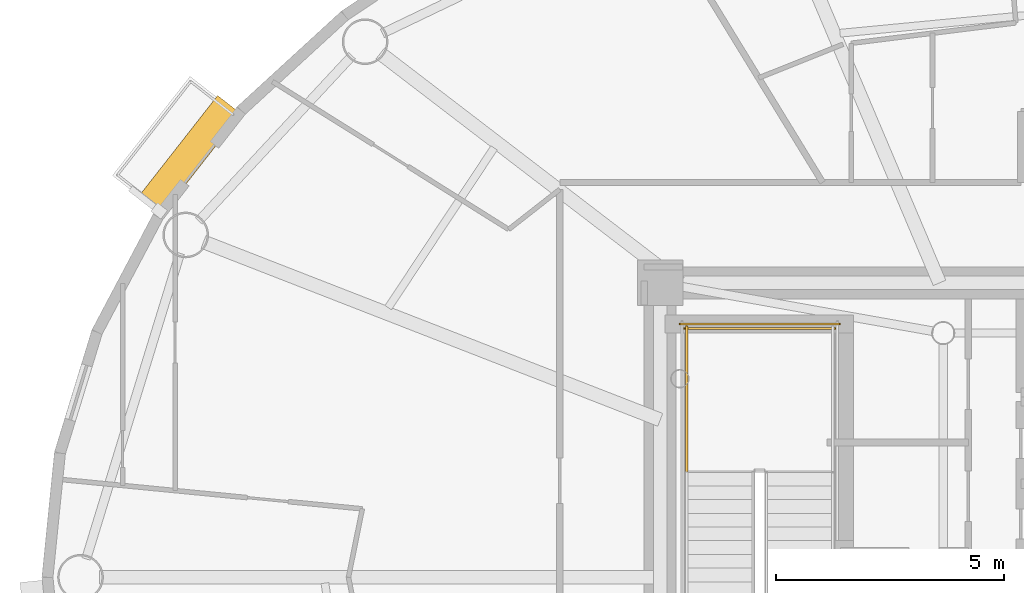
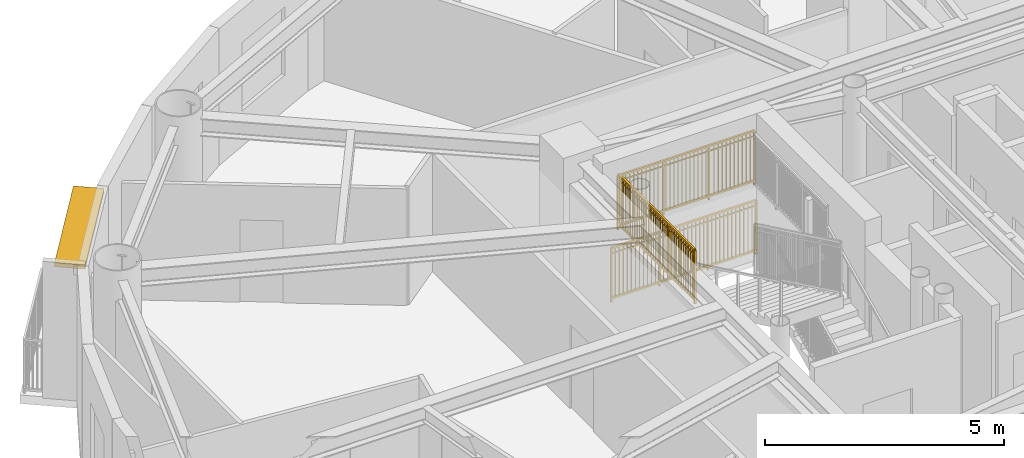
# One storey, part 14 of 17: 3 railings, 1 shading device.
"""IFC4 building model written with IfcOpenShell, lengths in metres."""

from ifc_helpers import new_model, si_unit, direction, frame, origin, origin_2d, place, context, subcontext, project, spatial, rectangle, extrude, source, transform, mapped, material, layer, layer_set, type_object, element, save


model = new_model("IFC4")

# Units and contexts
model_context = context("Model", 3, precision=1e-05, world=origin(), true_north=direction((0.0, 1.0)))
body_context = subcontext(model_context, "Body", "Model", "MODEL_VIEW")
ifc_project = project(units=[si_unit("LENGTHUNIT", "METRE"), si_unit("AREAUNIT", "SQUARE_METRE"), si_unit("VOLUMEUNIT", "CUBIC_METRE"), si_unit("PLANEANGLEUNIT", "RADIAN"), si_unit("MASSUNIT", "GRAM", prefix="KILO")], contexts=[model_context])

# Site, building, storey
site_placement = place(None, origin())
site = spatial("IfcSite", under=ifc_project, at=site_placement, CompositionType="ELEMENT")
building_placement = place(site_placement, origin())
building = spatial("IfcBuilding", under=site, at=building_placement, Name="Linh Dai School and Residence Tower", CompositionType="ELEMENT")
storey_placement = place(building_placement, frame((0.0, 0.0, 284.25)))
storey = spatial("IfcBuildingStorey", under=building, at=storey_placement, Name="L70", CompositionType="ELEMENT", Elevation=284.25)

# Shading device
ifc_material_1 = material(Name="Terracotta Ceramic Sunshade", Category="masonry")
ifc_layer = layer(ifc_material_1, 0.10009765625)
ifc_layer_set = layer_set([ifc_layer], Name="Terracotta Ceramic Sunshade")
shading_device_type = type_object("IfcShadingDeviceType", Name="SHD-TC-650", PredefinedType="USERDEFINED", material=ifc_layer_set)
shared_shape_1 = source(origin(), body_context, "Body", "SweptSolid", [
    extrude(rectangle(XDim=2.84033203125, YDim=0.64990234375, at=origin_2d()), origin(), (0.0, 0.0, 1.0), 0.10009765625),
])
shading_device_placement = place(storey_placement, frame((16.83349609375, 36.2353515625, 3.3798828125), z_axis=(0.0, 0.0, 1.0), x_axis=(0.616310813471, 0.78750300393, 0.0)))
element("IfcShadingDevice", 1, at=shading_device_placement, inside=storey, type_object=shading_device_type, Name="L70 Terracotta Horizontal Sunshade Band 17", ObjectType="SUNSHADE", PredefinedType="USERDEFINED", context=body_context, shape_type="MappedRepresentation", body=[
    mapped(shared_shape_1, transform((0.0, 0.0, 0.0), x_axis=(1.0, 0.0, 0.0), y_axis=(0.0, 1.0, 0.0), z_axis=(0.0, 0.0, 1.0), scale=1.0)),
])

# Railings
ifc_material_2 = material(Name="Structural Steel S355JR", Category="steel")
railing_type = type_object("IfcRailingType", Name="RL-ST-GUARD-1400", PredefinedType="GUARDRAIL", material=ifc_material_2)
shared_shape_2 = source(origin(), body_context, "Body", "SweptSolid", [
    extrude(rectangle(XDim=0.048095703125, YDim=0.048095703125, at=origin_2d()), frame((0.0, 0.0, 1.3759765625), z_axis=(-1.0, 0.0, 0.0), x_axis=(0.0, -1.0, 0.0)), (0.0, 0.0, 1.0), 3.300048828125),
    extrude(rectangle(XDim=0.048095703125, YDim=0.048095703125, at=origin_2d()), frame((0.0, 0.0, 0.10009765625), z_axis=(-1.0, 0.0, 0.0), x_axis=(0.0, -1.0, 0.0)), (0.0, 0.0, 1.0), 3.300048828125),
    extrude(rectangle(XDim=0.030029296875, YDim=0.030029296875, at=origin_2d()), frame((0.0, 0.0, 1.239990234375), z_axis=(-1.0, 0.0, 0.0), x_axis=(0.0, -1.0, 0.0)), (0.0, 0.0, 1.0), 3.300048828125),
    extrude(rectangle(XDim=0.02001953125, YDim=0.02001953125, at=origin_2d()), frame((-0.09716796875, 0.0, 0.10009765625)), (0.0, 0.0, 1.0), 1.251708984375),
    extrude(rectangle(XDim=0.02001953125, YDim=0.02001953125, at=origin_2d()), frame((-0.194091796875, 0.0, 0.10009765625)), (0.0, 0.0, 1.0), 1.251708984375),
    extrude(rectangle(XDim=0.02001953125, YDim=0.02001953125, at=origin_2d()), frame((-0.291259765625, 0.0, 0.10009765625)), (0.0, 0.0, 1.0), 1.251708984375),
    extrude(rectangle(XDim=0.02001953125, YDim=0.02001953125, at=origin_2d()), frame((-0.38818359375, 0.0, 0.10009765625)), (0.0, 0.0, 1.0), 1.251708984375),
    extrude(rectangle(XDim=0.02001953125, YDim=0.02001953125, at=origin_2d()), frame((-0.4853515625, 0.0, 0.10009765625)), (0.0, 0.0, 1.0), 1.251708984375),
    extrude(rectangle(XDim=0.02001953125, YDim=0.02001953125, at=origin_2d()), frame((-0.582275390625, 0.0, 0.10009765625)), (0.0, 0.0, 1.0), 1.251708984375),
    extrude(rectangle(XDim=0.02001953125, YDim=0.02001953125, at=origin_2d()), frame((-0.679443359375, 0.0, 0.10009765625)), (0.0, 0.0, 1.0), 1.251708984375),
    extrude(rectangle(XDim=0.02001953125, YDim=0.02001953125, at=origin_2d()), frame((-0.7763671875, 0.0, 0.10009765625)), (0.0, 0.0, 1.0), 1.251708984375),
    extrude(rectangle(XDim=0.02001953125, YDim=0.02001953125, at=origin_2d()), frame((-0.87353515625, 0.0, 0.10009765625)), (0.0, 0.0, 1.0), 1.251708984375),
    extrude(rectangle(XDim=0.02001953125, YDim=0.02001953125, at=origin_2d()), frame((-0.970703125, 0.0, 0.10009765625)), (0.0, 0.0, 1.0), 1.251708984375),
    extrude(rectangle(XDim=0.02001953125, YDim=0.02001953125, at=origin_2d()), frame((-1.164794921875, 0.0, 0.10009765625)), (0.0, 0.0, 1.0), 1.251708984375),
    extrude(rectangle(XDim=0.02001953125, YDim=0.02001953125, at=origin_2d()), frame((-1.26171875, 0.0, 0.10009765625)), (0.0, 0.0, 1.0), 1.251708984375),
    extrude(rectangle(XDim=0.02001953125, YDim=0.02001953125, at=origin_2d()), frame((-1.35888671875, 0.0, 0.10009765625)), (0.0, 0.0, 1.0), 1.251708984375),
    extrude(rectangle(XDim=0.02001953125, YDim=0.02001953125, at=origin_2d()), frame((-1.455810546875, 0.0, 0.10009765625)), (0.0, 0.0, 1.0), 1.251708984375),
    extrude(rectangle(XDim=0.02001953125, YDim=0.02001953125, at=origin_2d()), frame((-1.552978515625, 0.0, 0.10009765625)), (0.0, 0.0, 1.0), 1.251708984375),
    extrude(rectangle(XDim=0.02001953125, YDim=0.02001953125, at=origin_2d()), frame((-1.64990234375, 0.0, 0.10009765625)), (0.0, 0.0, 1.0), 1.251708984375),
    extrude(rectangle(XDim=0.02001953125, YDim=0.02001953125, at=origin_2d()), frame((-1.7470703125, 0.0, 0.10009765625)), (0.0, 0.0, 1.0), 1.251708984375),
    extrude(rectangle(XDim=0.02001953125, YDim=0.02001953125, at=origin_2d()), frame((-1.84423828125, 0.0, 0.10009765625)), (0.0, 0.0, 1.0), 1.251708984375),
    extrude(rectangle(XDim=0.02001953125, YDim=0.02001953125, at=origin_2d()), frame((-1.941162109375, 0.0, 0.10009765625)), (0.0, 0.0, 1.0), 1.251708984375),
    extrude(rectangle(XDim=0.02001953125, YDim=0.02001953125, at=origin_2d()), frame((-2.038330078125, 0.0, 0.10009765625)), (0.0, 0.0, 1.0), 1.251708984375),
    extrude(rectangle(XDim=0.02001953125, YDim=0.02001953125, at=origin_2d()), frame((-2.13525390625, 0.0, 0.10009765625)), (0.0, 0.0, 1.0), 1.251708984375),
    extrude(rectangle(XDim=0.02001953125, YDim=0.02001953125, at=origin_2d()), frame((-2.329345703125, 0.0, 0.10009765625)), (0.0, 0.0, 1.0), 1.251708984375),
    extrude(rectangle(XDim=0.02001953125, YDim=0.02001953125, at=origin_2d()), frame((-2.426513671875, 0.0, 0.10009765625)), (0.0, 0.0, 1.0), 1.251708984375),
    extrude(rectangle(XDim=0.02001953125, YDim=0.02001953125, at=origin_2d()), frame((-2.523681640625, 0.0, 0.10009765625)), (0.0, 0.0, 1.0), 1.251708984375),
    extrude(rectangle(XDim=0.02001953125, YDim=0.02001953125, at=origin_2d()), frame((-2.62060546875, 0.0, 0.10009765625)), (0.0, 0.0, 1.0), 1.251708984375),
    extrude(rectangle(XDim=0.02001953125, YDim=0.02001953125, at=origin_2d()), frame((-2.7177734375, 0.0, 0.10009765625)), (0.0, 0.0, 1.0), 1.251708984375),
    extrude(rectangle(XDim=0.02001953125, YDim=0.02001953125, at=origin_2d()), frame((-2.814697265625, 0.0, 0.10009765625)), (0.0, 0.0, 1.0), 1.251708984375),
    extrude(rectangle(XDim=0.02001953125, YDim=0.02001953125, at=origin_2d()), frame((-2.911865234375, 0.0, 0.10009765625)), (0.0, 0.0, 1.0), 1.251708984375),
    extrude(rectangle(XDim=0.02001953125, YDim=0.02001953125, at=origin_2d()), frame((-3.0087890625, 0.0, 0.10009765625)), (0.0, 0.0, 1.0), 1.251708984375),
    extrude(rectangle(XDim=0.02001953125, YDim=0.02001953125, at=origin_2d()), frame((-3.10595703125, 0.0, 0.10009765625)), (0.0, 0.0, 1.0), 1.251708984375),
    extrude(rectangle(XDim=0.02001953125, YDim=0.02001953125, at=origin_2d()), frame((-3.202880859375, 0.0, 0.10009765625)), (0.0, 0.0, 1.0), 1.251708984375),
    extrude(rectangle(XDim=0.0419921875, YDim=0.0419921875, at=origin_2d()), origin(), (0.0, 0.0, 1.0), 1.3759765625),
    extrude(rectangle(XDim=0.0419921875, YDim=0.0419921875, at=origin_2d()), frame((-1.10009765625, 0.0, 0.0)), (0.0, 0.0, 1.0), 1.3759765625),
    extrude(rectangle(XDim=0.0419921875, YDim=0.0419921875, at=origin_2d()), frame((-2.199951171875, 0.0, 0.0)), (0.0, 0.0, 1.0), 1.3759765625),
    extrude(rectangle(XDim=0.0419921875, YDim=0.0419921875, at=origin_2d()), frame((-3.300048828125, 0.0, 0.0)), (0.0, 0.0, 1.0), 1.3759765625),
])
railing_1_placement = place(storey_placement, frame((30.97998046875, 32.449951171875, 1.875)))
element("IfcRailing", 2, at=railing_1_placement, inside=storey, type_object=railing_type, Name="L70 ST1 stair guard 5", PredefinedType="GUARDRAIL", context=body_context, shape_type="MappedRepresentation", body=[
    mapped(shared_shape_2, transform((0.0, 0.0, 0.0), x_axis=(1.0, 0.0, 0.0), y_axis=(0.0, 1.0, 0.0), z_axis=(0.0, 0.0, 1.0), scale=1.0)),
])
shared_shape_3 = source(origin(), body_context, "Body", "SweptSolid", [
    extrude(rectangle(XDim=0.048095703125, YDim=0.048095703125, at=origin_2d()), frame((0.0, 0.0, 1.3759765625), z_axis=(-1.0, 0.0, 0.0), x_axis=(0.0, -1.0, 0.0)), (0.0, 0.0, 1.0), 3.5),
    extrude(rectangle(XDim=0.048095703125, YDim=0.048095703125, at=origin_2d()), frame((0.0, 0.0, 0.10009765625), z_axis=(-1.0, 0.0, 0.0), x_axis=(0.0, -1.0, 0.0)), (0.0, 0.0, 1.0), 3.5),
    extrude(rectangle(XDim=0.030029296875, YDim=0.030029296875, at=origin_2d()), frame((0.0, 0.0, 1.239990234375), z_axis=(-1.0, 0.0, 0.0), x_axis=(0.0, -1.0, 0.0)), (0.0, 0.0, 1.0), 3.5),
    extrude(rectangle(XDim=0.02001953125, YDim=0.02001953125, at=origin_2d()), frame((-0.09716796875, 0.0, 0.10009765625)), (0.0, 0.0, 1.0), 1.251708984375),
    extrude(rectangle(XDim=0.02001953125, YDim=0.02001953125, at=origin_2d()), frame((-0.1943359375, 0.0, 0.10009765625)), (0.0, 0.0, 1.0), 1.251708984375),
    extrude(rectangle(XDim=0.02001953125, YDim=0.02001953125, at=origin_2d()), frame((-0.291748046875, 0.0, 0.10009765625)), (0.0, 0.0, 1.0), 1.251708984375),
    extrude(rectangle(XDim=0.02001953125, YDim=0.02001953125, at=origin_2d()), frame((-0.388916015625, 0.0, 0.10009765625)), (0.0, 0.0, 1.0), 1.251708984375),
    extrude(rectangle(XDim=0.02001953125, YDim=0.02001953125, at=origin_2d()), frame((-0.486083984375, 0.0, 0.10009765625)), (0.0, 0.0, 1.0), 1.251708984375),
    extrude(rectangle(XDim=0.02001953125, YDim=0.02001953125, at=origin_2d()), frame((-0.583251953125, 0.0, 0.10009765625)), (0.0, 0.0, 1.0), 1.251708984375),
    extrude(rectangle(XDim=0.02001953125, YDim=0.02001953125, at=origin_2d()), frame((-0.6806640625, 0.0, 0.10009765625)), (0.0, 0.0, 1.0), 1.251708984375),
    extrude(rectangle(XDim=0.02001953125, YDim=0.02001953125, at=origin_2d()), frame((-0.77783203125, 0.0, 0.10009765625)), (0.0, 0.0, 1.0), 1.251708984375),
    extrude(rectangle(XDim=0.02001953125, YDim=0.02001953125, at=origin_2d()), frame((-0.875, 0.0, 0.10009765625)), (0.0, 0.0, 1.0), 1.251708984375),
    extrude(rectangle(XDim=0.02001953125, YDim=0.02001953125, at=origin_2d()), frame((-0.97216796875, 0.0, 0.10009765625)), (0.0, 0.0, 1.0), 1.251708984375),
    extrude(rectangle(XDim=0.02001953125, YDim=0.02001953125, at=origin_2d()), frame((-1.0693359375, 0.0, 0.10009765625)), (0.0, 0.0, 1.0), 1.251708984375),
    extrude(rectangle(XDim=0.02001953125, YDim=0.02001953125, at=origin_2d()), frame((-1.263916015625, 0.0, 0.10009765625)), (0.0, 0.0, 1.0), 1.251708984375),
    extrude(rectangle(XDim=0.02001953125, YDim=0.02001953125, at=origin_2d()), frame((-1.361083984375, 0.0, 0.10009765625)), (0.0, 0.0, 1.0), 1.251708984375),
    extrude(rectangle(XDim=0.02001953125, YDim=0.02001953125, at=origin_2d()), frame((-1.458251953125, 0.0, 0.10009765625)), (0.0, 0.0, 1.0), 1.251708984375),
    extrude(rectangle(XDim=0.02001953125, YDim=0.02001953125, at=origin_2d()), frame((-1.5556640625, 0.0, 0.10009765625)), (0.0, 0.0, 1.0), 1.251708984375),
    extrude(rectangle(XDim=0.02001953125, YDim=0.02001953125, at=origin_2d()), frame((-1.65283203125, 0.0, 0.10009765625)), (0.0, 0.0, 1.0), 1.251708984375),
    extrude(rectangle(XDim=0.02001953125, YDim=0.02001953125, at=origin_2d()), frame((-1.75, 0.0, 0.10009765625)), (0.0, 0.0, 1.0), 1.251708984375),
    extrude(rectangle(XDim=0.02001953125, YDim=0.02001953125, at=origin_2d()), frame((-1.84716796875, 0.0, 0.10009765625)), (0.0, 0.0, 1.0), 1.251708984375),
    extrude(rectangle(XDim=0.02001953125, YDim=0.02001953125, at=origin_2d()), frame((-1.9443359375, 0.0, 0.10009765625)), (0.0, 0.0, 1.0), 1.251708984375),
    extrude(rectangle(XDim=0.02001953125, YDim=0.02001953125, at=origin_2d()), frame((-2.041748046875, 0.0, 0.10009765625)), (0.0, 0.0, 1.0), 1.251708984375),
    extrude(rectangle(XDim=0.02001953125, YDim=0.02001953125, at=origin_2d()), frame((-2.138916015625, 0.0, 0.10009765625)), (0.0, 0.0, 1.0), 1.251708984375),
    extrude(rectangle(XDim=0.02001953125, YDim=0.02001953125, at=origin_2d()), frame((-2.236083984375, 0.0, 0.10009765625)), (0.0, 0.0, 1.0), 1.251708984375),
    extrude(rectangle(XDim=0.02001953125, YDim=0.02001953125, at=origin_2d()), frame((-2.4306640625, 0.0, 0.10009765625)), (0.0, 0.0, 1.0), 1.251708984375),
    extrude(rectangle(XDim=0.02001953125, YDim=0.02001953125, at=origin_2d()), frame((-2.52783203125, 0.0, 0.10009765625)), (0.0, 0.0, 1.0), 1.251708984375),
    extrude(rectangle(XDim=0.02001953125, YDim=0.02001953125, at=origin_2d()), frame((-2.625, 0.0, 0.10009765625)), (0.0, 0.0, 1.0), 1.251708984375),
    extrude(rectangle(XDim=0.02001953125, YDim=0.02001953125, at=origin_2d()), frame((-2.72216796875, 0.0, 0.10009765625)), (0.0, 0.0, 1.0), 1.251708984375),
    extrude(rectangle(XDim=0.02001953125, YDim=0.02001953125, at=origin_2d()), frame((-2.8193359375, 0.0, 0.10009765625)), (0.0, 0.0, 1.0), 1.251708984375),
    extrude(rectangle(XDim=0.02001953125, YDim=0.02001953125, at=origin_2d()), frame((-2.916748046875, 0.0, 0.10009765625)), (0.0, 0.0, 1.0), 1.251708984375),
    extrude(rectangle(XDim=0.02001953125, YDim=0.02001953125, at=origin_2d()), frame((-3.013916015625, 0.0, 0.10009765625)), (0.0, 0.0, 1.0), 1.251708984375),
    extrude(rectangle(XDim=0.02001953125, YDim=0.02001953125, at=origin_2d()), frame((-3.111083984375, 0.0, 0.10009765625)), (0.0, 0.0, 1.0), 1.251708984375),
    extrude(rectangle(XDim=0.02001953125, YDim=0.02001953125, at=origin_2d()), frame((-3.208251953125, 0.0, 0.10009765625)), (0.0, 0.0, 1.0), 1.251708984375),
    extrude(rectangle(XDim=0.02001953125, YDim=0.02001953125, at=origin_2d()), frame((-3.3056640625, 0.0, 0.10009765625)), (0.0, 0.0, 1.0), 1.251708984375),
    extrude(rectangle(XDim=0.02001953125, YDim=0.02001953125, at=origin_2d()), frame((-3.40283203125, 0.0, 0.10009765625)), (0.0, 0.0, 1.0), 1.251708984375),
    extrude(rectangle(XDim=0.0419921875, YDim=0.0419921875, at=origin_2d()), origin(), (0.0, 0.0, 1.0), 1.3759765625),
    extrude(rectangle(XDim=0.0419921875, YDim=0.0419921875, at=origin_2d()), frame((-1.166748046875, 0.0, 0.0)), (0.0, 0.0, 1.0), 1.3759765625),
    extrude(rectangle(XDim=0.0419921875, YDim=0.0419921875, at=origin_2d()), frame((-2.333251953125, 0.0, 0.0)), (0.0, 0.0, 1.0), 1.3759765625),
    extrude(rectangle(XDim=0.0419921875, YDim=0.0419921875, at=origin_2d()), frame((-3.5, 0.0, 0.0)), (0.0, 0.0, 1.0), 1.3759765625),
])
railing_2_placement = place(storey_placement, frame((31.080078125, 32.550048828125, 0.0)))
element("IfcRailing", 3, at=railing_2_placement, inside=storey, type_object=railing_type, Name="L70 ST1 stair guard 12", PredefinedType="GUARDRAIL", context=body_context, shape_type="MappedRepresentation", body=[
    mapped(shared_shape_3, transform((0.0, 0.0, 0.0), x_axis=(1.0, 0.0, 0.0), y_axis=(0.0, 1.0, 0.0), z_axis=(0.0, 0.0, 1.0), scale=1.0)),
])
shared_shape_4 = source(origin(), body_context, "Body", "SweptSolid", [
    extrude(rectangle(XDim=0.048095703125, YDim=0.048095703125, at=origin_2d()), frame((0.0, 0.0, 1.3759765625), z_axis=(0.0, 1.0, 0.0), x_axis=(-1.0, 0.0, 0.0)), (0.0, 0.0, 1.0), 3.199951171875),
    extrude(rectangle(XDim=0.048095703125, YDim=0.048095703125, at=origin_2d()), frame((0.0, 0.0, 0.10009765625), z_axis=(0.0, 1.0, 0.0), x_axis=(-1.0, 0.0, 0.0)), (0.0, 0.0, 1.0), 3.199951171875),
    extrude(rectangle(XDim=0.030029296875, YDim=0.030029296875, at=origin_2d()), frame((0.0, 0.0, 1.239990234375), z_axis=(0.0, 1.0, 0.0), x_axis=(-1.0, 0.0, 0.0)), (0.0, 0.0, 1.0), 3.199951171875),
    extrude(rectangle(XDim=0.02001953125, YDim=0.02001953125, at=origin_2d()), frame((0.0, 0.096923828125, 0.10009765625)), (0.0, 0.0, 1.0), 1.251708984375),
    extrude(rectangle(XDim=0.02001953125, YDim=0.02001953125, at=origin_2d()), frame((0.0, 0.19384765625, 0.10009765625)), (0.0, 0.0, 1.0), 1.251708984375),
    extrude(rectangle(XDim=0.02001953125, YDim=0.02001953125, at=origin_2d()), frame((0.0, 0.291015625, 0.10009765625)), (0.0, 0.0, 1.0), 1.251708984375),
    extrude(rectangle(XDim=0.02001953125, YDim=0.02001953125, at=origin_2d()), frame((0.0, 0.387939453125, 0.10009765625)), (0.0, 0.0, 1.0), 1.251708984375),
    extrude(rectangle(XDim=0.02001953125, YDim=0.02001953125, at=origin_2d()), frame((0.0, 0.48486328125, 0.10009765625)), (0.0, 0.0, 1.0), 1.251708984375),
    extrude(rectangle(XDim=0.02001953125, YDim=0.02001953125, at=origin_2d()), frame((0.0, 0.581787109375, 0.10009765625)), (0.0, 0.0, 1.0), 1.251708984375),
    extrude(rectangle(XDim=0.02001953125, YDim=0.02001953125, at=origin_2d()), frame((0.0, 0.6787109375, 0.10009765625)), (0.0, 0.0, 1.0), 1.251708984375),
    extrude(rectangle(XDim=0.02001953125, YDim=0.02001953125, at=origin_2d()), frame((0.0, 0.775634765625, 0.10009765625)), (0.0, 0.0, 1.0), 1.251708984375),
    extrude(rectangle(XDim=0.02001953125, YDim=0.02001953125, at=origin_2d()), frame((0.0, 0.872802734375, 0.10009765625)), (0.0, 0.0, 1.0), 1.251708984375),
    extrude(rectangle(XDim=0.02001953125, YDim=0.02001953125, at=origin_2d()), frame((0.0, 0.9697265625, 0.10009765625)), (0.0, 0.0, 1.0), 1.251708984375),
    extrude(rectangle(XDim=0.02001953125, YDim=0.02001953125, at=origin_2d()), frame((0.0, 1.16357421875, 0.10009765625)), (0.0, 0.0, 1.0), 1.251708984375),
    extrude(rectangle(XDim=0.02001953125, YDim=0.02001953125, at=origin_2d()), frame((0.0, 1.260498046875, 0.10009765625)), (0.0, 0.0, 1.0), 1.251708984375),
    extrude(rectangle(XDim=0.02001953125, YDim=0.02001953125, at=origin_2d()), frame((0.0, 1.357666015625, 0.10009765625)), (0.0, 0.0, 1.0), 1.251708984375),
    extrude(rectangle(XDim=0.02001953125, YDim=0.02001953125, at=origin_2d()), frame((0.0, 1.45458984375, 0.10009765625)), (0.0, 0.0, 1.0), 1.251708984375),
    extrude(rectangle(XDim=0.02001953125, YDim=0.02001953125, at=origin_2d()), frame((0.0, 1.551513671875, 0.10009765625)), (0.0, 0.0, 1.0), 1.251708984375),
    extrude(rectangle(XDim=0.02001953125, YDim=0.02001953125, at=origin_2d()), frame((0.0, 1.6484375, 0.10009765625)), (0.0, 0.0, 1.0), 1.251708984375),
    extrude(rectangle(XDim=0.02001953125, YDim=0.02001953125, at=origin_2d()), frame((0.0, 1.745361328125, 0.10009765625)), (0.0, 0.0, 1.0), 1.251708984375),
    extrude(rectangle(XDim=0.02001953125, YDim=0.02001953125, at=origin_2d()), frame((0.0, 1.84228515625, 0.10009765625)), (0.0, 0.0, 1.0), 1.251708984375),
    extrude(rectangle(XDim=0.02001953125, YDim=0.02001953125, at=origin_2d()), frame((0.0, 1.939453125, 0.10009765625)), (0.0, 0.0, 1.0), 1.251708984375),
    extrude(rectangle(XDim=0.02001953125, YDim=0.02001953125, at=origin_2d()), frame((0.0, 2.036376953125, 0.10009765625)), (0.0, 0.0, 1.0), 1.251708984375),
    extrude(rectangle(XDim=0.02001953125, YDim=0.02001953125, at=origin_2d()), frame((0.0, 2.230224609375, 0.10009765625)), (0.0, 0.0, 1.0), 1.251708984375),
    extrude(rectangle(XDim=0.02001953125, YDim=0.02001953125, at=origin_2d()), frame((0.0, 2.3271484375, 0.10009765625)), (0.0, 0.0, 1.0), 1.251708984375),
    extrude(rectangle(XDim=0.02001953125, YDim=0.02001953125, at=origin_2d()), frame((0.0, 2.42431640625, 0.10009765625)), (0.0, 0.0, 1.0), 1.251708984375),
    extrude(rectangle(XDim=0.02001953125, YDim=0.02001953125, at=origin_2d()), frame((0.0, 2.521240234375, 0.10009765625)), (0.0, 0.0, 1.0), 1.251708984375),
    extrude(rectangle(XDim=0.02001953125, YDim=0.02001953125, at=origin_2d()), frame((0.0, 2.6181640625, 0.10009765625)), (0.0, 0.0, 1.0), 1.251708984375),
    extrude(rectangle(XDim=0.02001953125, YDim=0.02001953125, at=origin_2d()), frame((0.0, 2.715087890625, 0.10009765625)), (0.0, 0.0, 1.0), 1.251708984375),
    extrude(rectangle(XDim=0.02001953125, YDim=0.02001953125, at=origin_2d()), frame((0.0, 2.81201171875, 0.10009765625)), (0.0, 0.0, 1.0), 1.251708984375),
    extrude(rectangle(XDim=0.02001953125, YDim=0.02001953125, at=origin_2d()), frame((0.0, 2.908935546875, 0.10009765625)), (0.0, 0.0, 1.0), 1.251708984375),
    extrude(rectangle(XDim=0.02001953125, YDim=0.02001953125, at=origin_2d()), frame((0.0, 3.006103515625, 0.10009765625)), (0.0, 0.0, 1.0), 1.251708984375),
    extrude(rectangle(XDim=0.02001953125, YDim=0.02001953125, at=origin_2d()), frame((0.0, 3.10302734375, 0.10009765625)), (0.0, 0.0, 1.0), 1.251708984375),
    extrude(rectangle(XDim=0.0419921875, YDim=0.0419921875, at=origin_2d()), origin(), (0.0, 0.0, 1.0), 1.3759765625),
    extrude(rectangle(XDim=0.0419921875, YDim=0.0419921875, at=origin_2d()), frame((0.0, 1.066650390625, 0.0)), (0.0, 0.0, 1.0), 1.3759765625),
    extrude(rectangle(XDim=0.0419921875, YDim=0.0419921875, at=origin_2d()), frame((0.0, 2.13330078125, 0.0)), (0.0, 0.0, 1.0), 1.3759765625),
    extrude(rectangle(XDim=0.0419921875, YDim=0.0419921875, at=origin_2d()), frame((0.0, 3.199951171875, 0.0)), (0.0, 0.0, 1.0), 1.3759765625),
])
railing_3_placement = place(storey_placement, frame((27.72998046875, 29.300048828125, 1.875)))
element("IfcRailing", 4, at=railing_3_placement, inside=storey, type_object=railing_type, Name="L70 ST1 stair guard 4", PredefinedType="GUARDRAIL", context=body_context, shape_type="MappedRepresentation", body=[
    mapped(shared_shape_4, transform((0.0, 0.0, 0.0), x_axis=(1.0, 0.0, 0.0), y_axis=(0.0, 1.0, 0.0), z_axis=(0.0, 0.0, 1.0), scale=1.0)),
])

save(model, "model.ifc")
